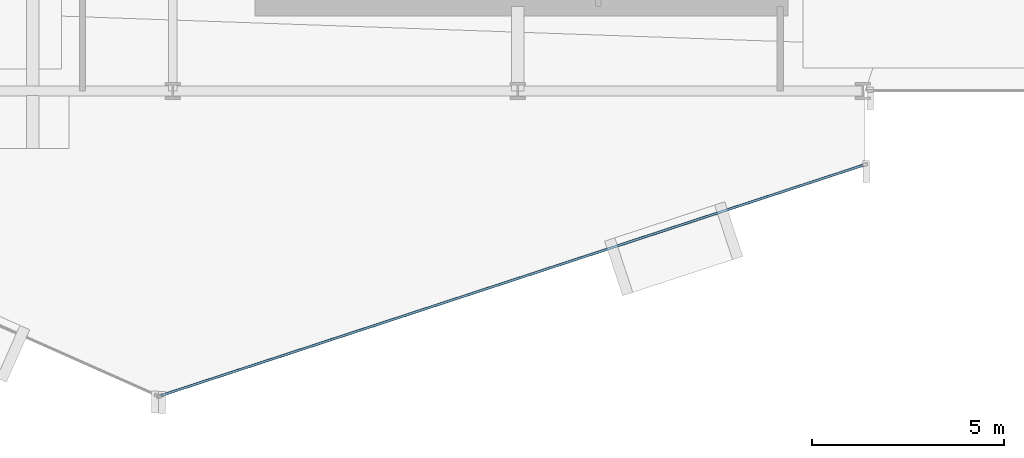
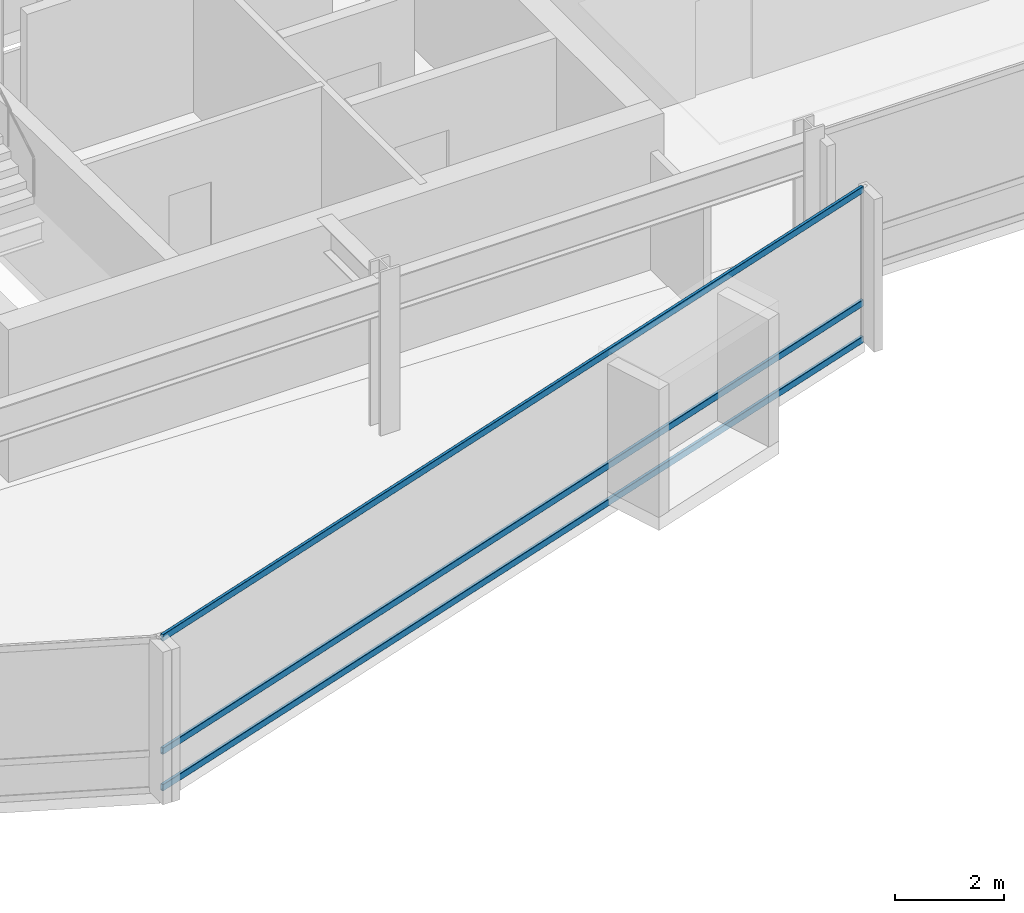
# One storey, part 9 of 29: 3 members, 1 element without a shape of its own.
"""IFC4 building model written with IfcOpenShell, lengths in metres."""

from ifc_helpers import new_model, si_unit, direction, frame, origin, origin_2d, place, context, subcontext, project, spatial, hollow_rectangle, extrude, material, layer, layer_set, material_profile, profile_set, type_object, element, aggregate, save


model = new_model("IFC4")

# Units and contexts
model_context = context("Model", 3, precision=1e-05, world=origin(), true_north=direction((0.0, 1.0)))
body_context = subcontext(model_context, "Body", "Model", "MODEL_VIEW")
ifc_project = project(units=[si_unit("LENGTHUNIT", "METRE"), si_unit("AREAUNIT", "SQUARE_METRE"), si_unit("VOLUMEUNIT", "CUBIC_METRE"), si_unit("PLANEANGLEUNIT", "RADIAN"), si_unit("MASSUNIT", "GRAM", prefix="KILO")], contexts=[model_context])

# Site, building, storey
site_placement = place(None, origin())
site = spatial("IfcSite", under=ifc_project, at=site_placement, CompositionType="ELEMENT")
building_placement = place(site_placement, origin())
building = spatial("IfcBuilding", under=site, at=building_placement, Name="Solvaryn Broadcast Tower", CompositionType="ELEMENT")
storey_placement = place(building_placement, frame((0.0, 0.0, 161.800048828125)))
storey = spatial("IfcBuildingStorey", under=building, at=storey_placement, Name="L40", CompositionType="ELEMENT", Elevation=161.800048828125)

# Curtain wall, members
ifc_material_1 = material(Name="Aluminium and Terracotta Unitised Curtain Wall", Category="masonry")
ifc_layer = layer(ifc_material_1, 0.199951171875)
ifc_layer_set = layer_set([ifc_layer], Name="CW-SYS2-LOWMID")
curtain_wall_type = type_object("IfcCurtainWallType", Name="CW-SYS2-LOWMID", PredefinedType="NOTDEFINED", material=ifc_layer_set)
curtain_wall_placement = place(storey_placement, origin())
curtain_wall = element("IfcCurtainWall", 1, at=curtain_wall_placement, inside=storey, type_object=curtain_wall_type, Name="L40 Curtain Wall DR4", PredefinedType="NOTDEFINED")
ifc_material_2 = material(Name="Anodised Aluminium 6063-T6", Category="aluminium")
ifc_material_profile = material_profile(ifc_material_2, hollow_rectangle(XDim=0.06494140625, YDim=0.14990234375, WallThickness=0.00390625, InnerFilletRadius=0.00390625, OuterFilletRadius=0.008056640625, at=origin_2d()))
ifc_profile_set = profile_set([ifc_material_profile], Name="Anodised Aluminium 6063-T6")
member_type = type_object("IfcMemberType", Name="CW-TRN-150", PredefinedType="USERDEFINED", material=ifc_profile_set)
member_1_placement = place(storey_placement, frame((26.693115234375, 1.052734375, 0.030029296875), z_axis=(0.950198373323, 0.31164571445, 0.0), x_axis=(-0.31164571445, 0.950198373323, 0.0)))
member_1 = element("IfcMember", 2, at=member_1_placement, type_object=member_type, Name="CWS2 transom 1.1", ObjectType="TRANSOM", PredefinedType="USERDEFINED", context=body_context, shape_type="SweptSolid", body=[
    extrude(hollow_rectangle(XDim=0.06494140625, YDim=0.14990234375, WallThickness=0.00390625, InnerFilletRadius=0.00390625, OuterFilletRadius=0.008056640625, at=origin_2d()), origin(), (0.0, 0.0, 1.0), 19.27685546875),
])
member_2_placement = place(storey_placement, frame((26.693115234375, 1.052734375, 0.849853515625), z_axis=(0.950198373323, 0.31164571445, 0.0), x_axis=(-0.31164571445, 0.950198373323, 0.0)))
member_2 = element("IfcMember", 3, at=member_2_placement, type_object=member_type, Name="CWS2 transom 1.2", ObjectType="TRANSOM", PredefinedType="USERDEFINED", context=body_context, shape_type="SweptSolid", body=[
    extrude(hollow_rectangle(XDim=0.06494140625, YDim=0.14990234375, WallThickness=0.00390625, InnerFilletRadius=0.00390625, OuterFilletRadius=0.008056640625, at=origin_2d()), origin(), (0.0, 0.0, 1.0), 19.27685546875),
])
member_3_placement = place(storey_placement, frame((26.693115234375, 1.052734375, 3.389892578125), z_axis=(0.950198373323, 0.31164571445, 0.0), x_axis=(-0.31164571445, 0.950198373323, 0.0)))
member_3 = element("IfcMember", 4, at=member_3_placement, type_object=member_type, Name="CWS2 transom 1.3", ObjectType="TRANSOM", PredefinedType="USERDEFINED", context=body_context, shape_type="SweptSolid", body=[
    extrude(hollow_rectangle(XDim=0.06494140625, YDim=0.14990234375, WallThickness=0.00390625, InnerFilletRadius=0.00390625, OuterFilletRadius=0.008056640625, at=origin_2d()), origin(), (0.0, 0.0, 1.0), 19.27685546875),
])
aggregate(curtain_wall, [member_1, member_2, member_3])

save(model, "model.ifc")
